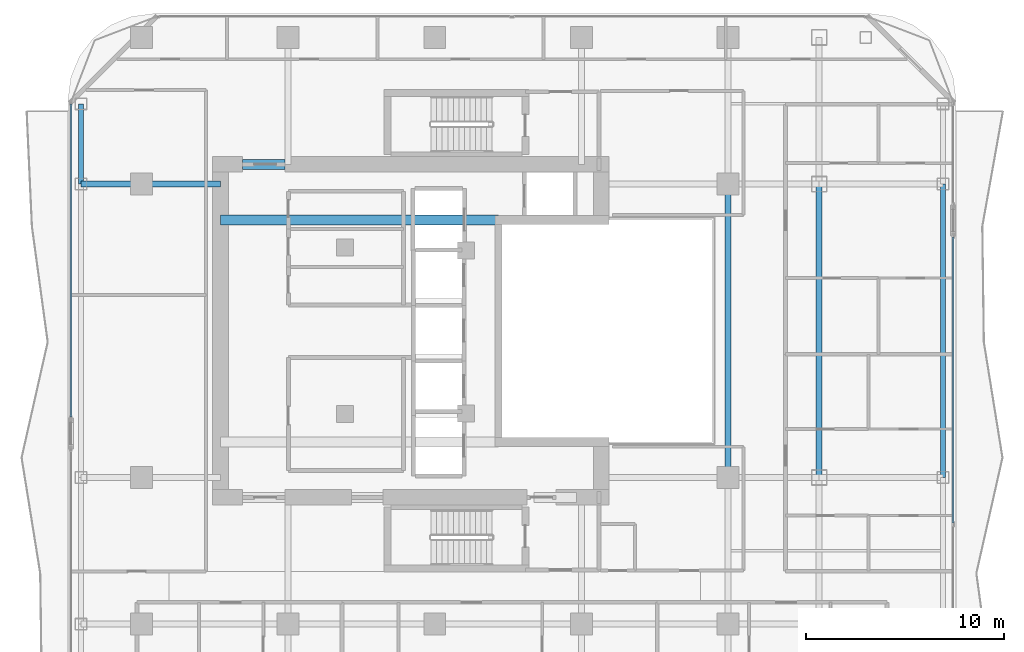
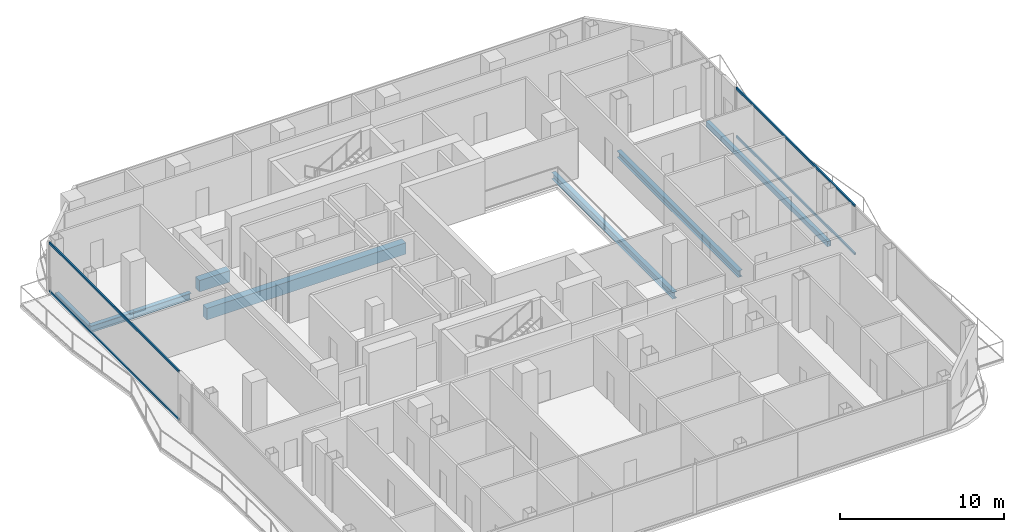
# One storey, part 12 of 27: 8 beams, 4 members, 2 elements without a shape of their own.
"""IFC4 building model written with IfcOpenShell, lengths in metres."""

from ifc_helpers import new_model, si_unit, direction, frame, origin, origin_2d, place, context, subcontext, project, spatial, rectangle, hollow_rectangle, i_section, extrude, material, layer, layer_set, material_profile, profile_set, type_object, element, aggregate, save


model = new_model("IFC4")

# Units and contexts
model_context = context("Model", 3, precision=1e-05, world=origin(), true_north=direction((0.0, 1.0)))
body_context = subcontext(model_context, "Body", "Model", "MODEL_VIEW")
ifc_project = project(units=[si_unit("LENGTHUNIT", "METRE"), si_unit("AREAUNIT", "SQUARE_METRE"), si_unit("VOLUMEUNIT", "CUBIC_METRE"), si_unit("PLANEANGLEUNIT", "RADIAN"), si_unit("MASSUNIT", "GRAM", prefix="KILO")], contexts=[model_context])

# Site, building, storey
site_placement = place(None, origin())
site = spatial("IfcSite", under=ifc_project, at=site_placement, CompositionType="ELEMENT")
building_placement = place(site_placement, origin())
building = spatial("IfcBuilding", under=site, at=building_placement, Name="Khorvyn Point Tower", CompositionType="ELEMENT")
storey_placement = place(building_placement, frame((0.0, 0.0, 227.39990234375)))
storey = spatial("IfcBuildingStorey", under=building, at=storey_placement, Name="L56", CompositionType="ELEMENT", Elevation=227.39990234375)

# Curtain wall, members
ifc_material_1 = material(Name="Anodised aluminium 6063-T6 and laminated Low-E glass", Category="aluminium")
ifc_layer = layer(ifc_material_1, 0.18994140625)
ifc_layer_set = layer_set([ifc_layer], Name="Stick-Built Acoustic Curtain Wall CW-SYS-03")
curtain_wall_type = type_object("IfcCurtainWallType", Name="Stick-Built Acoustic Curtain Wall CW-SYS-03", PredefinedType="NOTDEFINED", material=ifc_layer_set)
curtain_wall_1_placement = place(storey_placement, origin())
curtain_wall_1 = element("IfcCurtainWall", 1, at=curtain_wall_1_placement, inside=storey, type_object=curtain_wall_type, Name="Curtain Wall", PredefinedType="NOTDEFINED")
ifc_material_2 = material(Name="Anodised aluminium 6063-T6", Category="aluminium")
ifc_material_profile_1 = material_profile(ifc_material_2, hollow_rectangle(XDim=0.10009765625, YDim=0.159912109375, WallThickness=0.00439453125, at=origin_2d()))
ifc_profile_set_1 = profile_set([ifc_material_profile_1], Name="Anodised aluminium 6063-T6 ALU-TRN-100x160")
member_type = type_object("IfcMemberType", Name="Anodised Aluminium 6063-T6 Transom ALU-TRN-100x160", PredefinedType="USERDEFINED", material=ifc_profile_set_1)
member_1_placement = place(storey_placement, frame((-18.35009765625, -4.360107421875, 0.050048828125), z_axis=(0.0, 1.0, 0.0), x_axis=(-1.0, 0.0, 0.0)))
member_1 = element("IfcMember", 2, at=member_1_placement, type_object=member_type, Name="Transom", ObjectType="TRANSOM", PredefinedType="USERDEFINED", context=body_context, shape_type="SweptSolid", body=[
    extrude(hollow_rectangle(XDim=0.10009765625, YDim=0.159912109375, WallThickness=0.00439453125, at=origin_2d()), origin(), (0.0, 0.0, 1.0), 15.81005859375),
])
member_2_placement = place(storey_placement, frame((-18.35009765625, -4.360107421875, 3.630126953125), z_axis=(0.0, 1.0, 0.0), x_axis=(-1.0, 0.0, 0.0)))
member_2 = element("IfcMember", 3, at=member_2_placement, type_object=member_type, Name="Transom", ObjectType="TRANSOM", PredefinedType="USERDEFINED", context=body_context, shape_type="SweptSolid", body=[
    extrude(hollow_rectangle(XDim=0.10009765625, YDim=0.159912109375, WallThickness=0.00439453125, at=origin_2d()), origin(), (0.0, 0.0, 1.0), 15.81005859375),
])
aggregate(curtain_wall_1, [member_1, member_2])

curtain_wall_2_placement = place(storey_placement, origin())
curtain_wall_2 = element("IfcCurtainWall", 4, at=curtain_wall_2_placement, inside=storey, type_object=curtain_wall_type, Name="Curtain Wall", PredefinedType="NOTDEFINED")
member_3_placement = place(storey_placement, frame((26.14990234375, 4.741943359375, 0.050048828125), z_axis=(0.0, -1.0, 0.0), x_axis=(1.0, 0.0, 0.0)))
member_3 = element("IfcMember", 5, at=member_3_placement, type_object=member_type, Name="Transom", ObjectType="TRANSOM", PredefinedType="USERDEFINED", context=body_context, shape_type="SweptSolid", body=[
    extrude(hollow_rectangle(XDim=0.10009765625, YDim=0.159912109375, WallThickness=0.00439453125, at=origin_2d()), origin(), (0.0, 0.0, 1.0), 14.446044921875),
])
member_4_placement = place(storey_placement, frame((26.14990234375, 4.741943359375, 3.630126953125), z_axis=(0.0, -1.0, 0.0), x_axis=(1.0, 0.0, 0.0)))
member_4 = element("IfcMember", 6, at=member_4_placement, type_object=member_type, Name="Transom", ObjectType="TRANSOM", PredefinedType="USERDEFINED", context=body_context, shape_type="SweptSolid", body=[
    extrude(hollow_rectangle(XDim=0.10009765625, YDim=0.159912109375, WallThickness=0.00439453125, at=origin_2d()), origin(), (0.0, 0.0, 1.0), 14.446044921875),
])
aggregate(curtain_wall_2, [member_3, member_4])

# Beams
ifc_material_3 = material(Name="Concrete C45/55", Category="concrete")
ifc_material_profile_2 = material_profile(ifc_material_3, rectangle(XDim=0.5, YDim=0.85009765625, at=origin_2d()))
ifc_profile_set_2 = profile_set([ifc_material_profile_2], Name="Concrete C45/55 RC500x850")
beam_type_1 = type_object("IfcBeamType", Name="Concrete C45/55 Beam RC500x850", PredefinedType="BEAM", material=ifc_profile_set_2)
beam_1_placement = place(storey_placement, frame((-10.800048828125, 5.60009765625, -0.64501953125), z_axis=(1.0, 0.0, 0.0), x_axis=(0.0, 1.0, 0.0)))
element("IfcBeam", 7, at=beam_1_placement, inside=storey, type_object=beam_type_1, Name="L56 Core Internal Tie Girder N", PredefinedType="BEAM", context=body_context, shape_type="SweptSolid", body=[
    extrude(rectangle(XDim=0.5, YDim=0.85009765625, at=origin_2d()), origin(), (0.0, 0.0, 1.0), 14.02001953125),
])
beam_2_placement = place(storey_placement, frame((-9.699951171875, 8.39990234375, -0.64501953125), z_axis=(1.0, 0.0, 0.0), x_axis=(0.0, 1.0, 0.0)))
element("IfcBeam", 8, at=beam_2_placement, inside=storey, type_object=beam_type_1, Name="L56 Core Northwest Portal Coupling Beam", PredefinedType="BEAM", context=body_context, shape_type="SweptSolid", body=[
    extrude(rectangle(XDim=0.5, YDim=0.85009765625, at=origin_2d()), origin(), (0.0, 0.0, 1.0), 2.14990234375),
])
ifc_material_4 = material(Name="Steel S355", Category="steel")
ifc_material_profile_3 = material_profile(ifc_material_4, i_section(OverallWidth=0.300048828125, OverallDepth=0.488037109375, WebThickness=0.010986328125, FlangeThickness=0.01806640625, at=origin_2d()))
ifc_profile_set_3 = profile_set([ifc_material_profile_3], Name="Steel S355 H488x300x11x18")
beam_type_2 = type_object("IfcBeamType", Name="Steel S355 Spandrel H488x300x11x18", PredefinedType="SPANDREL", material=ifc_profile_set_3)
beam_3_placement = place(storey_placement, frame((-17.85009765625, 7.39990234375, -0.4638671875), z_axis=(1.0, 0.0, 0.0), x_axis=(0.0, 1.0, 0.0)))
element("IfcBeam", 9, at=beam_3_placement, inside=storey, type_object=beam_type_2, Name="Beam", PredefinedType="SPANDREL", context=body_context, shape_type="SweptSolid", body=[
    extrude(i_section(OverallWidth=0.300048828125, OverallDepth=0.488037109375, WebThickness=0.010986328125, FlangeThickness=0.01806640625, at=origin_2d()), origin(), (0.0, 0.0, 1.0), 3.050048828125),
])
beam_4_placement = place(storey_placement, frame((-14.800048828125, 7.39990234375, -0.4638671875), z_axis=(1.0, 0.0, 0.0), x_axis=(0.0, 1.0, 0.0)))
element("IfcBeam", 10, at=beam_4_placement, inside=storey, type_object=beam_type_2, Name="Beam", PredefinedType="SPANDREL", context=body_context, shape_type="SweptSolid", body=[
    extrude(i_section(OverallWidth=0.300048828125, OverallDepth=0.488037109375, WebThickness=0.010986328125, FlangeThickness=0.01806640625, at=origin_2d()), origin(), (0.0, 0.0, 1.0), 4.0),
])
for number, where, z_axis, x_axis, name in (
    (11, (14.800048828125, -7.39990234375, -0.4638671875), (0.0, 1.0, 0.0), (-1.0, 0.0, 0.0), "Beam"),
    (12, (19.39990234375, -7.39990234375, -0.4638671875), (0.0, 1.0, 0.0), (-1.0, 0.0, 0.0), "Beam"),
):
    element("IfcBeam", number, at=place(storey_placement, frame(where, z_axis=z_axis, x_axis=x_axis)), inside=storey, type_object=beam_type_2, Name=name, PredefinedType="SPANDREL", context=body_context, shape_type="SweptSolid", body=[
        extrude(i_section(OverallWidth=0.300048828125, OverallDepth=0.488037109375, WebThickness=0.010986328125, FlangeThickness=0.01806640625, at=origin_2d()), origin(), (0.0, 0.0, 1.0), 14.7998046875),
    ])
ifc_material_profile_4 = material_profile(ifc_material_4, hollow_rectangle(XDim=0.25, YDim=0.39990234375, WallThickness=0.01611328125, at=origin_2d()))
ifc_profile_set_4 = profile_set([ifc_material_profile_4], Name="Steel S355 RHS400x250x16")
beam_type_3 = type_object("IfcBeamType", Name="Steel S355 Spandrel RHS400x250x16", PredefinedType="SPANDREL", material=ifc_profile_set_4)
beam_5_placement = place(storey_placement, frame((-17.85009765625, 7.39990234375, -0.419921875), z_axis=(0.0, 1.0, 0.0), x_axis=(-1.0, 0.0, 0.0)))
element("IfcBeam", 13, at=beam_5_placement, inside=storey, type_object=beam_type_3, Name="Beam", PredefinedType="SPANDREL", context=body_context, shape_type="SweptSolid", body=[
    extrude(hollow_rectangle(XDim=0.25, YDim=0.39990234375, WallThickness=0.01611328125, at=origin_2d()), origin(), (0.0, 0.0, 1.0), 4.050048828125),
])
beam_6_placement = place(storey_placement, frame((25.64990234375, -7.39990234375, -0.419921875), z_axis=(0.0, 1.0, 0.0), x_axis=(-1.0, 0.0, 0.0)))
element("IfcBeam", 14, at=beam_6_placement, inside=storey, type_object=beam_type_3, Name="Beam", PredefinedType="SPANDREL", context=body_context, shape_type="SweptSolid", body=[
    extrude(hollow_rectangle(XDim=0.25, YDim=0.39990234375, WallThickness=0.01611328125, at=origin_2d()), origin(), (0.0, 0.0, 1.0), 14.7998046875),
])

save(model, "model.ifc")
